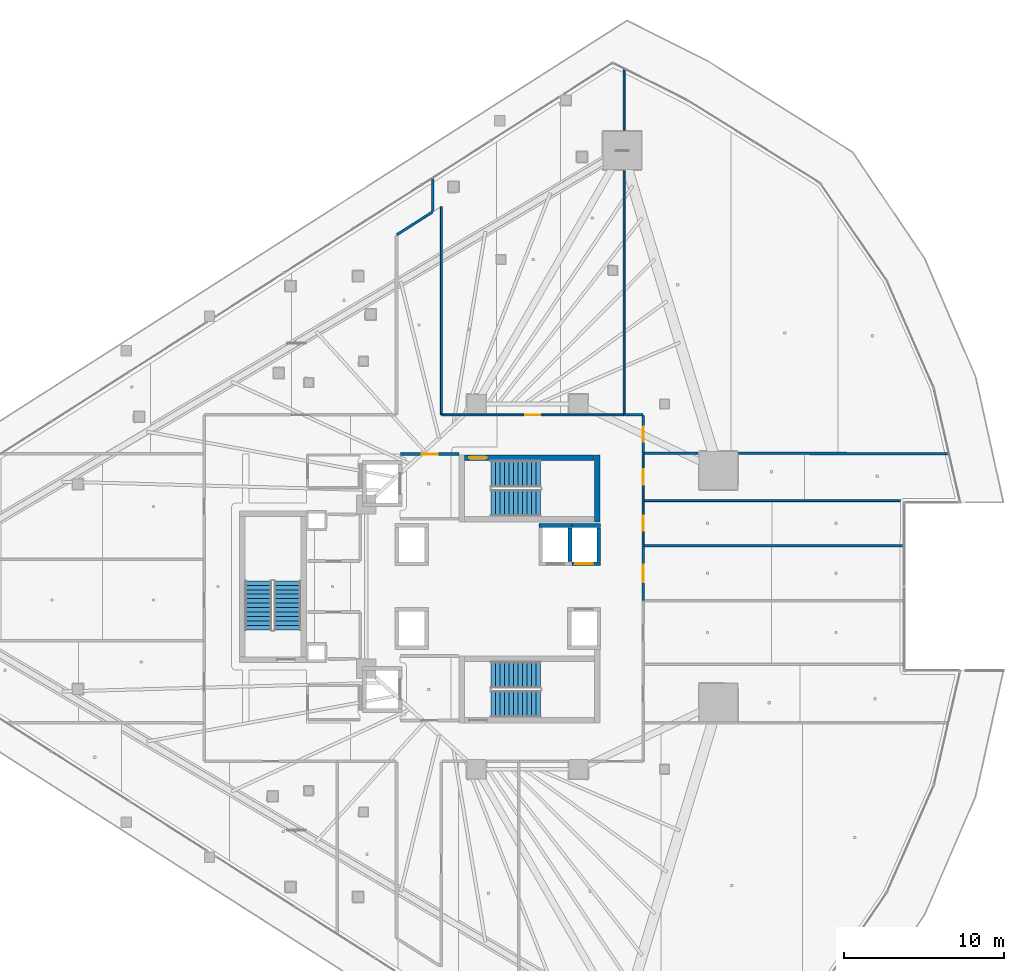
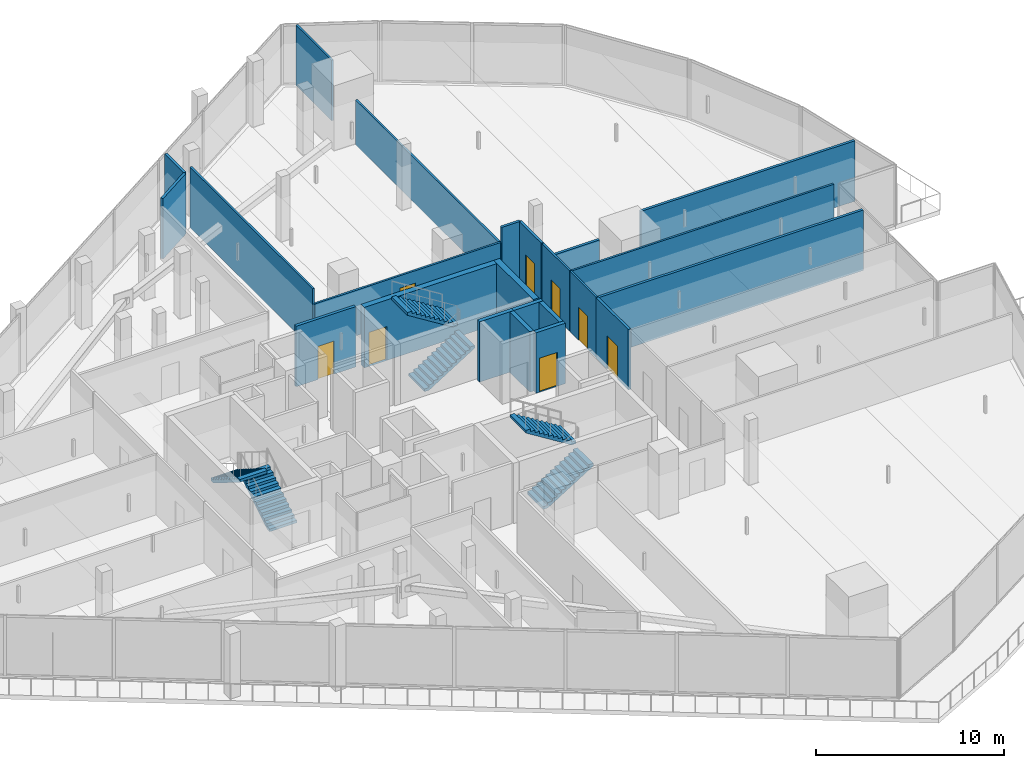
# One storey, part 39 of 52: 23 walls, 8 doors, 6 stair flights, 8 openings, 3 elements without a shape of their own.
"""IFC4 building model written with IfcOpenShell, lengths in metres."""

from ifc_helpers import new_model, si_unit, direction, frame, frame_2d, origin, place, context, subcontext, project, spatial, polyline, rectangle, outline, extrude, material, layer, layer_set, type_object, element, fill, aggregate, save


model = new_model("IFC4")

# Units and contexts
model_context = context("Model", 3, precision=1e-05, world=origin(), true_north=direction((0.0, 1.0)))
body_context = subcontext(model_context, "Body", "Model", "MODEL_VIEW")
ifc_project = project(units=[si_unit("LENGTHUNIT", "METRE"), si_unit("AREAUNIT", "SQUARE_METRE"), si_unit("VOLUMEUNIT", "CUBIC_METRE"), si_unit("PLANEANGLEUNIT", "RADIAN"), si_unit("MASSUNIT", "GRAM", prefix="KILO")], contexts=[model_context])

# Site, building, storey
site_placement = place(None, origin())
site = spatial("IfcSite", under=ifc_project, at=site_placement, CompositionType="ELEMENT")
building_placement = place(site_placement, origin())
building = spatial("IfcBuilding", under=site, at=building_placement, Name="Qorvath Tower", CompositionType="ELEMENT")
storey_placement = place(building_placement, frame((0.0, 0.0, 61.800048828125)))
storey = spatial("IfcBuildingStorey", under=building, at=storey_placement, Name="L13", CompositionType="ELEMENT", Elevation=61.800048828125)

# Wall, opening, door
ifc_material_1 = material(Name="Gypsum shaftliner on steel studs", Category="steel")
ifc_layer_1 = layer(ifc_material_1, 0.179931640625)
ifc_layer_set_1 = layer_set([ifc_layer_1], Name="FW-LOBBY")
wall_type_1 = type_object("IfcWallType", Name="FW-LOBBY", PredefinedType="PARTITIONING", material=ifc_layer_set_1)
wall_1_placement = place(storey_placement, frame((-24.68408203125, 8.300048828125, 0.0), z_axis=(0.0, 0.0, 1.0), x_axis=(-1.0, 0.0, 0.0)))
wall_1 = element("IfcWall", 1, at=wall_1_placement, inside=storey, type_object=wall_type_1, Name="Interior Partition IW-T1-L13-002", PredefinedType="PARTITIONING", context=body_context, shape_type="SweptSolid", body=[
    extrude(rectangle(XDim=3.6708984375, YDim=0.179931640625, at=frame_2d((1.83544921875, 0.0))), origin(), (0.0, 0.0, 1.0), 3.919921875),
])
opening_1_placement = place(wall_1_placement, frame((1.33544921875, 0.0, 0.0)))
opening_1 = element("IfcOpeningElement", 2, at=opening_1_placement, cuts=wall_1, Name="Opening D-T1-L13-19", PredefinedType="OPENING", context=body_context, shape_type="SweptSolid", body=[
    extrude(rectangle(XDim=1.0, YDim=2.14990234375, at=frame_2d((0.5, 1.074951171875))), frame((0.0, 0.10009765625, 0.0), z_axis=(0.0, -1.0, 0.0), x_axis=(1.0, 0.0, 0.0)), (0.0, 0.0, 1.0), 0.199951171875),
])
ifc_material_2 = material(Name="Painted galvanised hollow metal", Category="steel")
door_type_1 = type_object("IfcDoorType", Name="FD-60", OperationType="NOTDEFINED", PredefinedType="DOOR", material=ifc_material_2)
door_1_placement = place(opening_1_placement, origin())
door_1 = element("IfcDoor", 3, at=door_1_placement, inside=storey, type_object=door_type_1, Name="Lobby Fire Service Elevator North Door D-T1-L13-19", OperationType="SINGLE_SWING_RIGHT", OverallHeight=2.14990234375, OverallWidth=1.0, PredefinedType="DOOR", context=body_context, shape_type="SweptSolid", body=[
    extrude(rectangle(XDim=1.0, YDim=2.14990234375, at=frame_2d((0.5, 1.074951171875))), frame((0.0, 0.02490234375, 0.0), z_axis=(0.0, -1.0, 0.0), x_axis=(1.0, 0.0, 0.0)), (0.0, 0.0, 1.0), 0.050048828125),
])
fill(opening_1, door_1)

# Walls
ifc_material_3 = material(Name="Double acoustic gypsum board on steel studs", Category="steel")
ifc_layer_2 = layer(ifc_material_3, 0.159912109375)
ifc_layer_set_2 = layer_set([ifc_layer_2], Name="IW-ACOUSTIC-160")
wall_type_2 = type_object("IfcWallType", Name="IW-ACOUSTIC-160", PredefinedType="PARTITIONING", material=ifc_layer_set_2)
wall_2_placement = place(storey_placement, frame((-26.360595703125, 23.475341796875, 0.0), z_axis=(0.0, 0.0, 1.0), x_axis=(-0.842613569098, -0.538518684143, 0.0)))
element("IfcWall", 4, at=wall_2_placement, inside=storey, type_object=wall_type_2, Name="Interior Partition IW-T1-L13-022", PredefinedType="PARTITIONING", context=body_context, shape_type="SweptSolid", body=[
    extrude(rectangle(XDim=2.64208984375, YDim=0.159912109375, at=frame_2d((1.321044921875, 0.0))), origin(), (0.0, 0.0, 1.0), 3.919921875),
])
wall_3_placement = place(storey_placement, frame((-26.339599609375, 23.513916015625, 0.0), z_axis=(0.0, 0.0, 1.0), x_axis=(0.0, 1.0, 0.0)))
element("IfcWall", 5, at=wall_3_placement, inside=storey, type_object=wall_type_2, Name="Interior Partition IW-T1-L13-023", PredefinedType="PARTITIONING", context=body_context, shape_type="SweptSolid", body=[
    extrude(rectangle(XDim=2.021728515625, YDim=0.159912109375, at=frame_2d((1.0107421875, 0.0))), origin(), (0.0, 0.0, 1.0), 3.919921875),
])
wall_4_placement = place(storey_placement, frame((-14.305419921875, 10.758056640625, 0.0), z_axis=(0.0, 0.0, 1.0), x_axis=(1.0, 0.0, 0.0)))
element("IfcWall", 6, at=wall_4_placement, inside=storey, type_object=wall_type_2, Name="Interior Partition IW-T1-L13-029", PredefinedType="PARTITIONING", context=body_context, shape_type="SweptSolid", body=[
    extrude(rectangle(XDim=1.138427734375, YDim=0.159912109375, at=frame_2d((0.5693359375, 0.0))), origin(), (0.0, 0.0, 1.0), 3.919921875),
])

# Wall, opening, door
wall_5_placement = place(storey_placement, frame((-13.14208984375, 10.733154296875, 0.0), z_axis=(0.0, 0.0, 1.0), x_axis=(0.0, -1.0, 0.0)))
wall_5 = element("IfcWall", 7, at=wall_5_placement, inside=storey, type_object=wall_type_2, Name="Interior Partition IW-T1-L13-030", PredefinedType="PARTITIONING", context=body_context, shape_type="SweptSolid", body=[
    extrude(rectangle(XDim=2.358154296875, YDim=0.159912109375, at=frame_2d((1.17919921875, 0.0))), origin(), (0.0, 0.0, 1.0), 3.919921875),
])
opening_2_placement = place(wall_5_placement, frame((0.7041015625, 0.0, 0.0)))
opening_2 = element("IfcOpeningElement", 8, at=opening_2_placement, cuts=wall_5, Name="Opening D-T1-L13-07", PredefinedType="OPENING", context=body_context, shape_type="SweptSolid", body=[
    extrude(rectangle(XDim=0.949951171875, YDim=2.14990234375, at=frame_2d((0.47509765625, 1.074951171875))), frame((0.0, 0.08984375, 0.0), z_axis=(0.0, -1.0, 0.0), x_axis=(1.0, 0.0, 0.0)), (0.0, 0.0, 1.0), 0.179931640625),
])
ifc_material_4 = material(Name="Solid-core American white oak veneer", Category="wood")
door_type_2 = type_object("IfcDoorType", Name="D-01", OperationType="NOTDEFINED", PredefinedType="DOOR", material=ifc_material_4)
door_2_placement = place(opening_2_placement, origin())
door_2 = element("IfcDoor", 9, at=door_2_placement, inside=storey, type_object=door_type_2, Name="L13-03 Staff Wellness Studio Door D-T1-L13-07", OperationType="SINGLE_SWING_RIGHT", OverallHeight=2.14990234375, OverallWidth=0.949951171875, PredefinedType="DOOR", context=body_context, shape_type="SweptSolid", body=[
    extrude(rectangle(XDim=0.949951171875, YDim=2.14990234375, at=frame_2d((0.47509765625, 1.074951171875))), frame((0.0, 0.02490234375, 0.0), z_axis=(0.0, -1.0, 0.0), x_axis=(1.0, 0.0, 0.0)), (0.0, 0.0, 1.0), 0.050048828125),
])
fill(opening_2, door_2)

# Walls
wall_6_placement = place(storey_placement, frame((-13.1171875, 8.35009765625, 0.0), z_axis=(0.0, 0.0, 1.0), x_axis=(1.0, 0.0, 0.0)))
element("IfcWall", 10, at=wall_6_placement, inside=storey, type_object=wall_type_2, Name="Interior Partition IW-T1-L13-031", PredefinedType="PARTITIONING", context=body_context, shape_type="SweptSolid", body=[
    extrude(rectangle(XDim=3.421875, YDim=0.159912109375, at=frame_2d((1.7109375, 0.0))), origin(), (0.0, 0.0, 1.0), 2.956787109375),
])
wall_7_placement = place(storey_placement, frame((-7.165283203125, 8.35009765625, 0.0), z_axis=(0.0, 0.0, 1.0), x_axis=(0.999999076287, -0.001359200353, 0.0)))
element("IfcWall", 11, at=wall_7_placement, inside=storey, type_object=wall_type_2, Name="Interior Partition IW-T1-L13-032", PredefinedType="PARTITIONING", context=body_context, shape_type="SweptSolid", body=[
    extrude(rectangle(XDim=13.1123046875, YDim=0.159912109375, at=frame_2d((6.55615234375, 0.0))), origin(), (0.0, 0.0, 1.0), 3.919921875),
])

# Wall, opening, door
wall_8_placement = place(storey_placement, frame((-13.14208984375, 2.532470703125, 0.0), z_axis=(0.0, 0.0, 1.0), x_axis=(0.0, -1.0, 0.0)))
wall_8 = element("IfcWall", 12, at=wall_8_placement, inside=storey, type_object=wall_type_2, Name="Interior Partition IW-T1-L13-052", PredefinedType="PARTITIONING", context=body_context, shape_type="SweptSolid", body=[
    extrude(rectangle(XDim=3.399658203125, YDim=0.159912109375, at=frame_2d((1.69970703125, 0.0))), origin(), (0.0, 0.0, 1.0), 3.919921875),
])
opening_3_placement = place(wall_8_placement, frame((1.14990234375, 0.0, 0.0)))
opening_3 = element("IfcOpeningElement", 13, at=opening_3_placement, cuts=wall_8, Name="Opening D-T1-L13-13", PredefinedType="OPENING", context=body_context, shape_type="SweptSolid", body=[
    extrude(rectangle(XDim=1.10009765625, YDim=2.14990234375, at=frame_2d((0.550048828125, 1.074951171875))), frame((0.0, 0.08984375, 0.0), z_axis=(0.0, -1.0, 0.0), x_axis=(1.0, 0.0, 0.0)), (0.0, 0.0, 1.0), 0.179931640625),
])
ifc_material_5 = material(Name="Anodised aluminium acoustic framed glass", Category="aluminium")
door_type_3 = type_object("IfcDoorType", Name="D-03", OperationType="NOTDEFINED", PredefinedType="DOOR", material=ifc_material_5)
door_3_placement = place(opening_3_placement, origin())
door_3 = element("IfcDoor", 14, at=door_3_placement, inside=storey, type_object=door_type_3, Name="L13-09 Enclosed Conference Suite Door D-T1-L13-13", OperationType="SINGLE_SWING_RIGHT", OverallHeight=2.14990234375, OverallWidth=1.10009765625, PredefinedType="DOOR", context=body_context, shape_type="SweptSolid", body=[
    extrude(rectangle(XDim=1.10009765625, YDim=2.14990234375, at=frame_2d((0.550048828125, 1.074951171875))), frame((0.0, 0.02490234375, 0.0), z_axis=(0.0, -1.0, 0.0), x_axis=(1.0, 0.0, 0.0)), (0.0, 0.0, 1.0), 0.050048828125),
])
fill(opening_3, door_3)

# Walls
wall_9_placement = place(storey_placement, frame((3.139404296875, 2.557373046875, 0.0), z_axis=(0.0, 0.0, 1.0), x_axis=(-1.0, 0.0, 0.0)))
element("IfcWall", 15, at=wall_9_placement, inside=storey, type_object=wall_type_2, Name="Interior Partition IW-T1-L13-053", PredefinedType="PARTITIONING", context=body_context, shape_type="SweptSolid", body=[
    extrude(rectangle(XDim=16.256591796875, YDim=0.159912109375, at=frame_2d((8.12841796875, 0.0))), origin(), (0.0, 0.0, 1.0), 3.919921875),
])
ifc_material_6 = material(Name="Gypsum board on metal studs with mineral wool", Category="gypsum")
ifc_layer_3 = layer(ifc_material_6, 0.125)
ifc_layer_set_3 = layer_set([ifc_layer_3], Name="IW-PART-125")
wall_type_3 = type_object("IfcWallType", Name="IW-PART-125", PredefinedType="PARTITIONING", material=ifc_layer_set_3)
wall_10_placement = place(storey_placement, frame((-25.7919921875, 23.81396484375, 0.0), z_axis=(0.0, 0.0, 1.0), x_axis=(0.0, -1.0, 0.0)))
element("IfcWall", 16, at=wall_10_placement, inside=storey, type_object=wall_type_3, Name="Interior Partition IW-T1-L13-025", PredefinedType="PARTITIONING", context=body_context, shape_type="SweptSolid", body=[
    extrude(rectangle(XDim=13.03076171875, YDim=0.125, at=frame_2d((6.515380859375, 0.0))), origin(), (0.0, 0.0, 1.0), 3.919921875),
])

# Wall, opening, door
wall_11_placement = place(storey_placement, frame((-25.76708984375, 10.758056640625, 0.0), z_axis=(0.0, 0.0, 1.0), x_axis=(1.0, 0.0, 0.0)))
wall_11 = element("IfcWall", 17, at=wall_11_placement, inside=storey, type_object=wall_type_3, Name="Interior Partition IW-T1-L13-026", PredefinedType="PARTITIONING", context=body_context, shape_type="SweptSolid", body=[
    extrude(rectangle(XDim=11.404052734375, YDim=0.125, at=frame_2d((5.7021484375, 0.0))), origin(), (0.0, 0.0, 1.0), 2.956787109375),
])
opening_4_placement = place(wall_11_placement, frame((5.22705078125, 0.0, 0.0)))
opening_4 = element("IfcOpeningElement", 18, at=opening_4_placement, cuts=wall_11, Name="Opening D-T1-L13-06", PredefinedType="OPENING", context=body_context, shape_type="SweptSolid", body=[
    extrude(rectangle(XDim=0.949951171875, YDim=2.14990234375, at=frame_2d((0.47509765625, 1.074951171875))), frame((0.0, 0.072509765625, 0.0), z_axis=(0.0, -1.0, 0.0), x_axis=(1.0, 0.0, 0.0)), (0.0, 0.0, 1.0), 0.14501953125),
])
door_4_placement = place(opening_4_placement, origin())
door_4 = element("IfcDoor", 19, at=door_4_placement, inside=storey, type_object=door_type_2, Name="L13-02 Project Collaboration Workspace Door D-T1-L13-06", OperationType="SINGLE_SWING_LEFT", OverallHeight=2.14990234375, OverallWidth=0.949951171875, PredefinedType="DOOR", context=body_context, shape_type="SweptSolid", body=[
    extrude(rectangle(XDim=0.949951171875, YDim=2.14990234375, at=frame_2d((0.47509765625, 1.074951171875))), frame((0.0, 0.02490234375, 0.0), z_axis=(0.0, -1.0, 0.0), x_axis=(1.0, 0.0, 0.0)), (0.0, 0.0, 1.0), 0.050048828125),
])
fill(opening_4, door_4)

# Walls
wall_12_placement = place(storey_placement, frame((-14.338134765625, 10.783203125, 0.0), z_axis=(0.0, 0.0, 1.0), x_axis=(0.0, 1.0, 0.0)))
element("IfcWall", 20, at=wall_12_placement, inside=storey, type_object=wall_type_3, Name="Interior Partition IW-T1-L13-027", PredefinedType="PARTITIONING", context=body_context, shape_type="SweptSolid", body=[
    extrude(rectangle(XDim=15.282470703125, YDim=0.125, at=frame_2d((7.64111328125, 0.0))), origin(), (0.0, 0.0, 1.0), 2.889892578125),
])
wall_13_placement = place(storey_placement, frame((-14.338134765625, 28.595703125, 0.0), z_axis=(0.0, 0.0, 1.0), x_axis=(0.0, 1.0, 0.0)))
element("IfcWall", 21, at=wall_13_placement, inside=storey, type_object=wall_type_3, Name="Interior Partition IW-T1-L13-028", PredefinedType="PARTITIONING", context=body_context, shape_type="SweptSolid", body=[
    extrude(rectangle(XDim=3.790283203125, YDim=0.125, at=frame_2d((1.89501953125, 0.0))), origin(), (0.0, 0.0, 1.0), 3.919921875),
])

# Wall, opening, door
wall_14_placement = place(storey_placement, frame((-13.14208984375, 5.36279296875, 0.0), z_axis=(0.0, 0.0, 1.0), x_axis=(0.0, -1.0, 0.0)))
wall_14 = element("IfcWall", 22, at=wall_14_placement, inside=storey, type_object=wall_type_3, Name="Interior Partition IW-T1-L13-054", PredefinedType="PARTITIONING", context=body_context, shape_type="SweptSolid", body=[
    extrude(rectangle(XDim=2.7724609375, YDim=0.125, at=frame_2d((1.38623046875, 0.0))), origin(), (0.0, 0.0, 1.0), 3.919921875),
])
opening_5_placement = place(wall_14_placement, frame((0.9111328125, 0.0, 0.0)))
opening_5 = element("IfcOpeningElement", 23, at=opening_5_placement, cuts=wall_14, Name="Opening D-T1-L13-14", PredefinedType="OPENING", context=body_context, shape_type="SweptSolid", body=[
    extrude(rectangle(XDim=0.949951171875, YDim=2.14990234375, at=frame_2d((0.47509765625, 1.074951171875))), frame((0.0, 0.072509765625, 0.0), z_axis=(0.0, -1.0, 0.0), x_axis=(1.0, 0.0, 0.0)), (0.0, 0.0, 1.0), 0.14501953125),
])
door_5_placement = place(opening_5_placement, origin())
door_5 = element("IfcDoor", 24, at=door_5_placement, inside=storey, type_object=door_type_2, Name="L13-10 Focus Collaboration Pod Door D-T1-L13-14", OperationType="SINGLE_SWING_LEFT", OverallHeight=2.14990234375, OverallWidth=0.949951171875, PredefinedType="DOOR", context=body_context, shape_type="SweptSolid", body=[
    extrude(rectangle(XDim=0.949951171875, YDim=2.14990234375, at=frame_2d((0.47509765625, 1.074951171875))), frame((0.0, 0.02490234375, 0.0), z_axis=(0.0, -1.0, 0.0), x_axis=(1.0, 0.0, 0.0)), (0.0, 0.0, 1.0), 0.050048828125),
])
fill(opening_5, door_5)

# Wall
wall_15_placement = place(storey_placement, frame((2.973388671875, 5.3876953125, 0.0), z_axis=(0.0, 0.0, 1.0), x_axis=(-1.0, 0.0, 0.0)))
element("IfcWall", 25, at=wall_15_placement, inside=storey, type_object=wall_type_3, Name="Interior Partition IW-T1-L13-055", PredefinedType="PARTITIONING", context=body_context, shape_type="SweptSolid", body=[
    extrude(rectangle(XDim=16.090576171875, YDim=0.125, at=frame_2d((8.04541015625, 0.0))), origin(), (0.0, 0.0, 1.0), 3.919921875),
])

# Wall, opening, door
wall_16_placement = place(storey_placement, frame((-13.14208984375, 8.31689453125, 0.0), z_axis=(0.0, 0.0, 1.0), x_axis=(0.0, -1.0, 0.0)))
wall_16 = element("IfcWall", 26, at=wall_16_placement, inside=storey, type_object=wall_type_3, Name="Interior Partition IW-T1-L13-056", PredefinedType="PARTITIONING", context=body_context, shape_type="SweptSolid", body=[
    extrude(rectangle(XDim=2.89599609375, YDim=0.125, at=frame_2d((1.447998046875, 0.0))), origin(), (0.0, 0.0, 1.0), 3.919921875),
])
opening_6_placement = place(wall_16_placement, frame((0.972900390625, 0.0, 0.0)))
opening_6 = element("IfcOpeningElement", 27, at=opening_6_placement, cuts=wall_16, Name="Opening D-T1-L13-15", PredefinedType="OPENING", context=body_context, shape_type="SweptSolid", body=[
    extrude(rectangle(XDim=0.949951171875, YDim=2.14990234375, at=frame_2d((0.47509765625, 1.074951171875))), frame((0.0, 0.072509765625, 0.0), z_axis=(0.0, -1.0, 0.0), x_axis=(1.0, 0.0, 0.0)), (0.0, 0.0, 1.0), 0.14501953125),
])
door_6_placement = place(opening_6_placement, origin())
door_6 = element("IfcDoor", 28, at=door_6_placement, inside=storey, type_object=door_type_2, Name="L13-11 Staff Refreshment Pantry and Coffee Bar Door D-T1-L13-15", OperationType="SINGLE_SWING_RIGHT", OverallHeight=2.14990234375, OverallWidth=0.949951171875, PredefinedType="DOOR", context=body_context, shape_type="SweptSolid", body=[
    extrude(rectangle(XDim=0.949951171875, YDim=2.14990234375, at=frame_2d((0.47509765625, 1.074951171875))), frame((0.0, 0.02490234375, 0.0), z_axis=(0.0, -1.0, 0.0), x_axis=(1.0, 0.0, 0.0)), (0.0, 0.0, 1.0), 0.050048828125),
])
fill(opening_6, door_6)

# Walls
ifc_material_7 = material(Name="Concrete C60/75", Category="concrete")
ifc_layer_4 = layer(ifc_material_7, 0.260009765625)
ifc_layer_set_4 = layer_set([ifc_layer_4], Name="SW-SHAFT")
wall_type_4 = type_object("IfcWallType", Name="SW-SHAFT", PredefinedType="SHEAR", material=ifc_layer_set_4)
wall_17_placement = place(storey_placement, frame((-19.68994140625, 3.820068359375, 0.0), z_axis=(0.0, 0.0, 1.0), x_axis=(1.0, 0.0, 0.0)))
element("IfcWall", 29, at=wall_17_placement, inside=storey, type_object=wall_type_4, Name="Hoistway Wall PL-1 L13 N", PredefinedType="SHEAR", context=body_context, shape_type="SweptSolid", body=[
    extrude(rectangle(XDim=2.079833984375, YDim=0.239990234375, at=frame_2d((1.0400390625, 0.0))), origin(), (0.0, 0.0, 1.0), 3.919921875),
])
wall_18_placement = place(storey_placement, frame((-17.72998046875, 3.68798828125, 0.0), z_axis=(0.0, 0.0, 1.0), x_axis=(0.0, -1.0, 0.0)))
element("IfcWall", 30, at=wall_18_placement, inside=storey, type_object=wall_type_4, Name="Hoistway Wall PL-1 L13 E", PredefinedType="SHEAR", context=body_context, shape_type="SweptSolid", body=[
    extrude(rectangle(XDim=2.1259765625, YDim=0.239990234375, at=frame_2d((1.06298828125, 0.0))), origin(), (0.0, 0.0, 1.0), 3.919921875),
])

# Wall, opening, door
wall_19_placement = place(storey_placement, frame((-15.81005859375, 1.429931640625, 0.0), z_axis=(0.0, 0.0, 1.0), x_axis=(-1.0, 0.0, 0.0)))
wall_19 = element("IfcWall", 31, at=wall_19_placement, inside=storey, type_object=wall_type_4, Name="Hoistway Wall PL-3 L13 S", PredefinedType="SHEAR", context=body_context, shape_type="SweptSolid", body=[
    extrude(rectangle(XDim=1.800048828125, YDim=0.239990234375, at=frame_2d((0.89990234375, 0.0))), origin(), (0.0, 0.0, 1.0), 3.919921875),
])
opening_7_placement = place(wall_19_placement, frame((0.489990234375, 0.0, 0.0)))
opening_7 = element("IfcOpeningElement", 32, at=opening_7_placement, cuts=wall_19, Name="Opening LD-PL-3-L13", PredefinedType="OPENING", context=body_context, shape_type="SweptSolid", body=[
    extrude(rectangle(XDim=1.10009765625, YDim=2.199951171875, at=frame_2d((0.550048828125, 1.10009765625))), frame((0.0, 0.1298828125, 0.0), z_axis=(0.0, -1.0, 0.0), x_axis=(1.0, 0.0, 0.0)), (0.0, 0.0, 1.0), 0.260009765625),
])
ifc_material_8 = material(Name="Brushed stainless steel AISI 316", Category="steel")
door_type_4 = type_object("IfcDoorType", Name="LD-01", OperationType="NOTDEFINED", PredefinedType="DOOR", material=ifc_material_8)
door_7_placement = place(opening_7_placement, origin())
door_7 = element("IfcDoor", 33, at=door_7_placement, inside=storey, type_object=door_type_4, Name="Elevator Landing Sliding Door LD-PL-3-L13", OperationType="DOUBLE_DOOR_SLIDING", OverallHeight=2.199951171875, OverallWidth=1.10009765625, PredefinedType="DOOR", context=body_context, shape_type="SweptSolid", body=[
    extrude(rectangle(XDim=1.10009765625, YDim=2.199951171875, at=frame_2d((0.550048828125, 1.10009765625))), frame((0.0, 0.02490234375, 0.0), z_axis=(0.0, -1.0, 0.0), x_axis=(1.0, 0.0, 0.0)), (0.0, 0.0, 1.0), 0.050048828125),
])
fill(opening_7, door_7)

# Walls
wall_20_placement = place(storey_placement, frame((-17.610107421875, 3.820068359375, 0.0), z_axis=(0.0, 0.0, 1.0), x_axis=(1.0, 0.0, 0.0)))
element("IfcWall", 34, at=wall_20_placement, inside=storey, type_object=wall_type_4, Name="Hoistway Wall PL-3 L13 N", PredefinedType="SHEAR", context=body_context, shape_type="SweptSolid", body=[
    extrude(rectangle(XDim=1.800048828125, YDim=0.239990234375, at=frame_2d((0.89990234375, 0.0))), origin(), (0.0, 0.0, 1.0), 3.919921875),
])
wall_21_placement = place(storey_placement, frame((-15.929931640625, 3.68798828125, 0.0), z_axis=(0.0, 0.0, 1.0), x_axis=(0.0, -1.0, 0.0)))
element("IfcWall", 35, at=wall_21_placement, inside=storey, type_object=wall_type_4, Name="Hoistway Wall PL-3 L13 E", PredefinedType="SHEAR", context=body_context, shape_type="SweptSolid", body=[
    extrude(rectangle(XDim=2.1259765625, YDim=0.239990234375, at=frame_2d((1.06298828125, 0.0))), origin(), (0.0, 0.0, 1.0), 3.919921875),
])
ifc_material_9 = material(Name="Concrete C60/75", Category="concrete")
ifc_layer_5 = layer(ifc_material_9, 0.35009765625)
ifc_layer_set_5 = layer_set([ifc_layer_5], Name="SW-STAIR")
wall_type_5 = type_object("IfcWallType", Name="SW-STAIR", PredefinedType="SHEAR", material=ifc_layer_set_5)
wall_22_placement = place(storey_placement, frame((-16.02490234375, 4.050048828125, 0.0), z_axis=(0.0, 0.0, 1.0), x_axis=(0.0, 1.0, 0.0)))
element("IfcWall", 36, at=wall_22_placement, inside=storey, type_object=wall_type_5, Name="Stair TS1 Shear Wall L13 FAR", PredefinedType="SHEAR", context=body_context, shape_type="SweptSolid", body=[
    extrude(rectangle(XDim=4.2099609375, YDim=0.35009765625, at=frame_2d((2.10498046875, 0.0))), origin(), (0.0, 0.0, 1.0), 3.919921875),
])

# Wall, opening, door
wall_23_placement = place(storey_placement, frame((-16.215087890625, 8.0849609375, 0.0), z_axis=(0.0, 0.0, 1.0), x_axis=(-1.0, 0.0, 0.0)))
wall_23 = element("IfcWall", 37, at=wall_23_placement, inside=storey, type_object=wall_type_5, Name="Stair TS1 Shear Wall L13 RIGHT", PredefinedType="SHEAR", context=body_context, shape_type="SweptSolid", body=[
    extrude(rectangle(XDim=8.119873046875, YDim=0.35009765625, at=frame_2d((4.06005859375, 0.0))), origin(), (0.0, 0.0, 1.0), 3.919921875),
])
opening_8_placement = place(wall_23_placement, frame((6.739990234375, 0.0, 0.0)))
opening_8 = element("IfcOpeningElement", 38, at=opening_8_placement, cuts=wall_23, Name="Opening D-TS1-L13", PredefinedType="OPENING", context=body_context, shape_type="SweptSolid", body=[
    extrude(rectangle(XDim=1.10009765625, YDim=2.199951171875, at=frame_2d((0.550048828125, 1.10009765625))), frame((0.0, 0.18505859375, 0.0), z_axis=(0.0, -1.0, 0.0), x_axis=(1.0, 0.0, 0.0)), (0.0, 0.0, 1.0), 0.3701171875),
])
ifc_material_10 = material(Name="Painted galvanised hollow metal", Category="steel")
door_type_5 = type_object("IfcDoorType", Name="FD-90", OperationType="NOTDEFINED", PredefinedType="DOOR", material=ifc_material_10)
door_8_placement = place(opening_8_placement, origin())
door_8 = element("IfcDoor", 39, at=door_8_placement, inside=storey, type_object=door_type_5, Name="Stair TS1 Fire Door L13", OperationType="SINGLE_SWING_RIGHT", OverallHeight=2.199951171875, OverallWidth=1.10009765625, PredefinedType="DOOR", context=body_context, shape_type="SweptSolid", body=[
    extrude(rectangle(XDim=1.10009765625, YDim=2.199951171875, at=frame_2d((0.550048828125, 1.10009765625))), frame((0.0, 0.02490234375, 0.0), z_axis=(0.0, -1.0, 0.0), x_axis=(1.0, 0.0, 0.0)), (0.0, 0.0, 1.0), 0.050048828125),
])
fill(opening_8, door_8)

# Stair, stair flights
ifc_material_11 = material(Name="Concrete C50/60", Category="concrete")
stair_type = type_object("IfcStairType", Name="ST-H420", PredefinedType="HALF_TURN_STAIR", material=ifc_material_11)
stair_1_placement = place(storey_placement, origin())
stair_1 = element("IfcStair", 40, at=stair_1_placement, inside=storey, type_object=stair_type, Name="L13 Tower Exit Stair 1", PredefinedType="HALF_TURN_STAIR")
ifc_material_12 = material(Name="Concrete C50/60", Category="concrete")
ifc_layer_6 = layer(ifc_material_12, 0.14990234375)
ifc_layer_set_6 = layer_set([ifc_layer_6], Name="SF-H420")
stair_flight_type = type_object("IfcStairFlightType", Name="SF-H420", PredefinedType="STRAIGHT", material=ifc_layer_set_6)
stair_flight_1_placement = place(storey_placement, frame((-22.669921875, 5.239990234375, 0.0), z_axis=(0.0, 0.0, 1.0), x_axis=(1.0, 0.0, 0.0)))
stair_flight_1 = element("IfcStairFlight", 41, at=stair_flight_1_placement, type_object=stair_flight_type, Name="TS1 flight 1", NumberOfRisers=12, NumberOfTreads=11, PredefinedType="STRAIGHT", RiserHeight=0.175, TreadLength=0.28, context=body_context, shape_type="SweptSolid", body=[
    extrude(outline(polyline([(0.0, 0.0), (0.0, 0.175048828125), (0.280029296875, 0.175048828125), (0.280029296875, 0.35009765625), (0.56005859375, 0.35009765625), (0.56005859375, 0.52490234375), (0.840087890625, 0.52490234375), (0.840087890625, 0.699951171875), (1.1201171875, 0.699951171875), (1.1201171875, 0.875), (1.39990234375, 0.875), (1.39990234375, 1.050048828125), (1.679931640625, 1.050048828125), (1.679931640625, 1.22509765625), (1.9599609375, 1.22509765625), (1.9599609375, 1.39990234375), (2.239990234375, 1.39990234375), (2.239990234375, 1.574951171875), (2.52001953125, 1.574951171875), (2.52001953125, 1.75), (2.800048828125, 1.75), (2.800048828125, 1.925048828125), (3.080078125, 1.925048828125), (3.080078125, 2.10009765625), (3.080078125, 1.748291015625), (0.28271484375, 0.0), (0.0, 0.0)])), frame((0.0, 0.83984375, 0.0), z_axis=(0.0, -1.0, 0.0), x_axis=(1.0, 0.0, 0.0)), (0.0, 0.0, 1.0), 1.679931640625),
])
stair_flight_2_placement = place(storey_placement, frame((-19.590087890625, 7.070068359375, 2.099853515625), z_axis=(0.0, 0.0, 1.0), x_axis=(-1.0, 0.0, 0.0)))
stair_flight_2 = element("IfcStairFlight", 42, at=stair_flight_2_placement, type_object=stair_flight_type, Name="TS1 flight 2", NumberOfRisers=12, NumberOfTreads=11, PredefinedType="STRAIGHT", RiserHeight=0.175, TreadLength=0.28, context=body_context, shape_type="SweptSolid", body=[
    extrude(outline(polyline([(0.0, 0.0), (0.0, 0.175048828125), (0.280029296875, 0.175048828125), (0.280029296875, 0.35009765625), (0.56005859375, 0.35009765625), (0.56005859375, 0.52490234375), (0.840087890625, 0.52490234375), (0.840087890625, 0.699951171875), (1.1201171875, 0.699951171875), (1.1201171875, 0.875), (1.39990234375, 0.875), (1.39990234375, 1.050048828125), (1.679931640625, 1.050048828125), (1.679931640625, 1.22509765625), (1.9599609375, 1.22509765625), (1.9599609375, 1.39990234375), (2.239990234375, 1.39990234375), (2.239990234375, 1.574951171875), (2.52001953125, 1.574951171875), (2.52001953125, 1.75), (2.800048828125, 1.75), (2.800048828125, 1.925048828125), (3.080078125, 1.925048828125), (3.080078125, 2.10009765625), (3.080078125, 1.748291015625), (0.28271484375, 0.0), (0.0, 0.0)])), frame((0.0, 0.83984375, 0.0), z_axis=(0.0, -1.0, 0.0), x_axis=(1.0, 0.0, 0.0)), (0.0, 0.0, 1.0), 1.679931640625),
])
aggregate(stair_1, [stair_flight_1, stair_flight_2])

stair_2_placement = place(storey_placement, origin())
stair_2 = element("IfcStair", 43, at=stair_2_placement, inside=storey, type_object=stair_type, Name="L13 Tower Exit Stair 2", PredefinedType="HALF_TURN_STAIR")
stair_flight_3_placement = place(storey_placement, frame((-22.669921875, -7.360107421875, 0.0), z_axis=(0.0, 0.0, 1.0), x_axis=(1.0, 0.0, 0.0)))
stair_flight_3 = element("IfcStairFlight", 44, at=stair_flight_3_placement, type_object=stair_flight_type, Name="TS2 flight 1", NumberOfRisers=12, NumberOfTreads=11, PredefinedType="STRAIGHT", RiserHeight=0.175, TreadLength=0.28, context=body_context, shape_type="SweptSolid", body=[
    extrude(outline(polyline([(0.0, 0.0), (0.0, 0.175048828125), (0.280029296875, 0.175048828125), (0.280029296875, 0.35009765625), (0.56005859375, 0.35009765625), (0.56005859375, 0.52490234375), (0.840087890625, 0.52490234375), (0.840087890625, 0.699951171875), (1.1201171875, 0.699951171875), (1.1201171875, 0.875), (1.39990234375, 0.875), (1.39990234375, 1.050048828125), (1.679931640625, 1.050048828125), (1.679931640625, 1.22509765625), (1.9599609375, 1.22509765625), (1.9599609375, 1.39990234375), (2.239990234375, 1.39990234375), (2.239990234375, 1.574951171875), (2.52001953125, 1.574951171875), (2.52001953125, 1.75), (2.800048828125, 1.75), (2.800048828125, 1.925048828125), (3.080078125, 1.925048828125), (3.080078125, 2.10009765625), (3.080078125, 1.748291015625), (0.28271484375, 0.0), (0.0, 0.0)])), frame((0.0, 0.83984375, 0.0), z_axis=(0.0, -1.0, 0.0), x_axis=(1.0, 0.0, 0.0)), (0.0, 0.0, 1.0), 1.679931640625),
])
stair_flight_4_placement = place(storey_placement, frame((-19.590087890625, -5.530029296875, 2.099853515625), z_axis=(0.0, 0.0, 1.0), x_axis=(-1.0, 0.0, 0.0)))
stair_flight_4 = element("IfcStairFlight", 45, at=stair_flight_4_placement, type_object=stair_flight_type, Name="TS2 flight 2", NumberOfRisers=12, NumberOfTreads=11, PredefinedType="STRAIGHT", RiserHeight=0.175, TreadLength=0.28, context=body_context, shape_type="SweptSolid", body=[
    extrude(outline(polyline([(0.0, 0.0), (0.0, 0.175048828125), (0.280029296875, 0.175048828125), (0.280029296875, 0.35009765625), (0.56005859375, 0.35009765625), (0.56005859375, 0.52490234375), (0.840087890625, 0.52490234375), (0.840087890625, 0.699951171875), (1.1201171875, 0.699951171875), (1.1201171875, 0.875), (1.39990234375, 0.875), (1.39990234375, 1.050048828125), (1.679931640625, 1.050048828125), (1.679931640625, 1.22509765625), (1.9599609375, 1.22509765625), (1.9599609375, 1.39990234375), (2.239990234375, 1.39990234375), (2.239990234375, 1.574951171875), (2.52001953125, 1.574951171875), (2.52001953125, 1.75), (2.800048828125, 1.75), (2.800048828125, 1.925048828125), (3.080078125, 1.925048828125), (3.080078125, 2.10009765625), (3.080078125, 1.748291015625), (0.28271484375, 0.0), (0.0, 0.0)])), frame((0.0, 0.83984375, 0.0), z_axis=(0.0, -1.0, 0.0), x_axis=(1.0, 0.0, 0.0)), (0.0, 0.0, 1.0), 1.679931640625),
])
aggregate(stair_2, [stair_flight_3, stair_flight_4])

stair_3_placement = place(storey_placement, origin())
stair_3 = element("IfcStair", 46, at=stair_3_placement, inside=storey, type_object=stair_type, Name="L13 Tower Exit Stair 3", PredefinedType="HALF_TURN_STAIR")
stair_flight_5_placement = place(storey_placement, frame((-35.43994140625, -2.719970703125, 0.0), z_axis=(0.0, 0.0, 1.0), x_axis=(0.0, 1.0, 0.0)))
stair_flight_5 = element("IfcStairFlight", 47, at=stair_flight_5_placement, type_object=stair_flight_type, Name="TS3 flight 1", NumberOfRisers=12, NumberOfTreads=11, PredefinedType="STRAIGHT", RiserHeight=0.175, TreadLength=0.28, context=body_context, shape_type="SweptSolid", body=[
    extrude(outline(polyline([(0.0, 0.0), (0.0, 0.175048828125), (0.280029296875, 0.175048828125), (0.280029296875, 0.35009765625), (0.56005859375, 0.35009765625), (0.56005859375, 0.52490234375), (0.840087890625, 0.52490234375), (0.840087890625, 0.699951171875), (1.1201171875, 0.699951171875), (1.1201171875, 0.875), (1.39990234375, 0.875), (1.39990234375, 1.050048828125), (1.679931640625, 1.050048828125), (1.679931640625, 1.22509765625), (1.9599609375, 1.22509765625), (1.9599609375, 1.39990234375), (2.239990234375, 1.39990234375), (2.239990234375, 1.574951171875), (2.52001953125, 1.574951171875), (2.52001953125, 1.75), (2.800048828125, 1.75), (2.800048828125, 1.925048828125), (3.080078125, 1.925048828125), (3.080078125, 2.10009765625), (3.080078125, 1.748291015625), (0.28271484375, 0.0), (0.0, 0.0)])), frame((0.0, 0.83984375, 0.0), z_axis=(0.0, -1.0, 0.0), x_axis=(1.0, 0.0, 0.0)), (0.0, 0.0, 1.0), 1.679931640625),
])
stair_flight_6_placement = place(storey_placement, frame((-37.27001953125, 0.360107421875, 2.099853515625), z_axis=(0.0, 0.0, 1.0), x_axis=(0.0, -1.0, 0.0)))
stair_flight_6 = element("IfcStairFlight", 48, at=stair_flight_6_placement, type_object=stair_flight_type, Name="TS3 flight 2", NumberOfRisers=12, NumberOfTreads=11, PredefinedType="STRAIGHT", RiserHeight=0.175, TreadLength=0.28, context=body_context, shape_type="SweptSolid", body=[
    extrude(outline(polyline([(0.0, 0.0), (0.0, 0.175048828125), (0.280029296875, 0.175048828125), (0.280029296875, 0.35009765625), (0.56005859375, 0.35009765625), (0.56005859375, 0.52490234375), (0.840087890625, 0.52490234375), (0.840087890625, 0.699951171875), (1.1201171875, 0.699951171875), (1.1201171875, 0.875), (1.39990234375, 0.875), (1.39990234375, 1.050048828125), (1.679931640625, 1.050048828125), (1.679931640625, 1.22509765625), (1.9599609375, 1.22509765625), (1.9599609375, 1.39990234375), (2.239990234375, 1.39990234375), (2.239990234375, 1.574951171875), (2.52001953125, 1.574951171875), (2.52001953125, 1.75), (2.800048828125, 1.75), (2.800048828125, 1.925048828125), (3.080078125, 1.925048828125), (3.080078125, 2.10009765625), (3.080078125, 1.748291015625), (0.28271484375, 0.0), (0.0, 0.0)])), frame((0.0, 0.83984375, 0.0), z_axis=(0.0, -1.0, 0.0), x_axis=(1.0, 0.0, 0.0)), (0.0, 0.0, 1.0), 1.679931640625),
])
aggregate(stair_3, [stair_flight_5, stair_flight_6])

save(model, "model.ifc")
